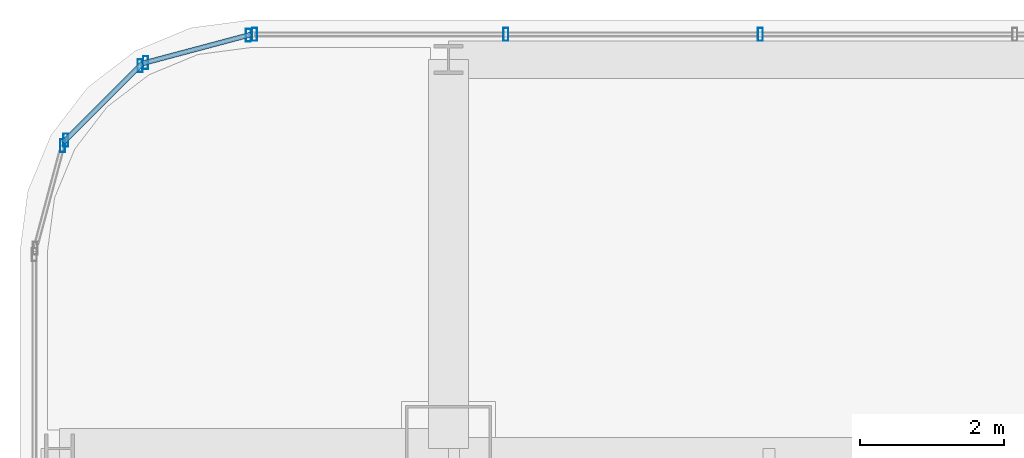
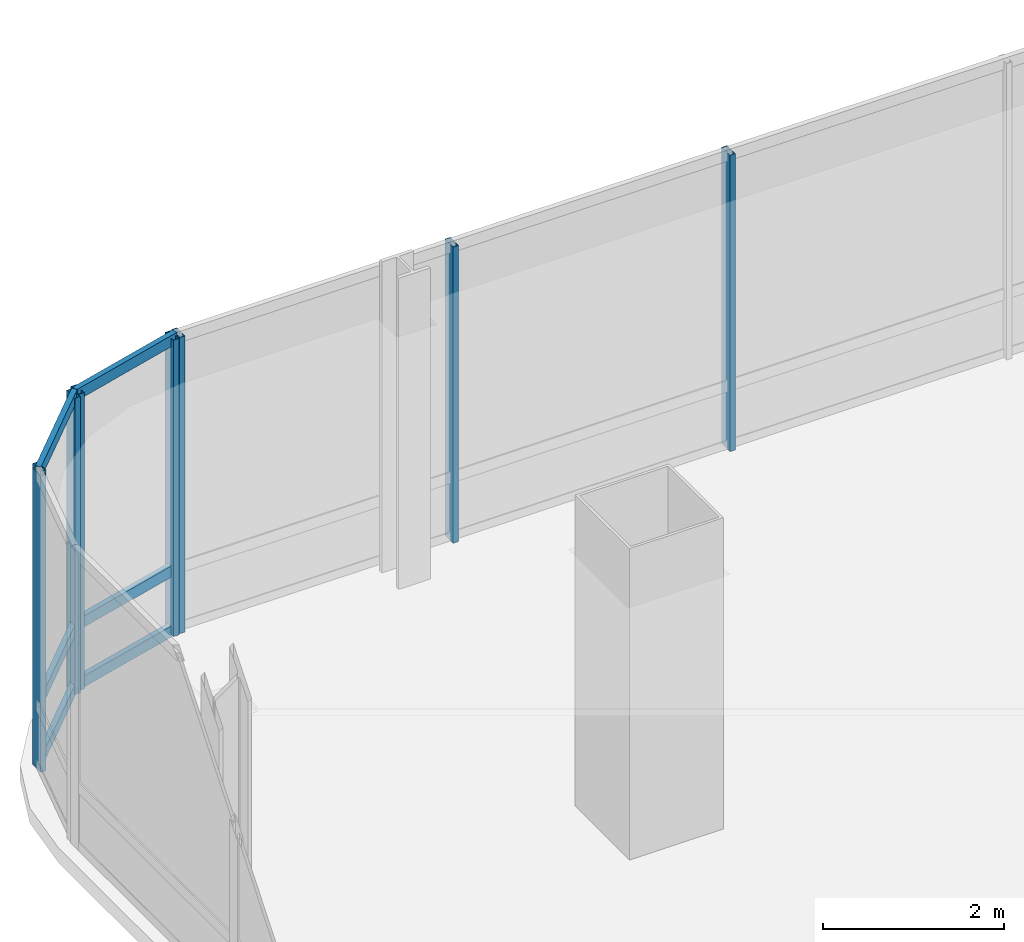
# One storey, part 23 of 42: 14 members, 4 elements without a shape of their own.
"""IFC4 building model written with IfcOpenShell, lengths in metres."""

from ifc_helpers import new_model, si_unit, direction, frame, origin, origin_2d, place, context, subcontext, project, spatial, hollow_rectangle, extrude, material, material_profile, profile_set, type_object, element, aggregate, save


model = new_model("IFC4")

# Units and contexts
model_context = context("Model", 3, precision=1e-05, world=origin(), true_north=direction((0.0, 1.0)))
body_context = subcontext(model_context, "Body", "Model", "MODEL_VIEW")
ifc_project = project(units=[si_unit("LENGTHUNIT", "METRE"), si_unit("AREAUNIT", "SQUARE_METRE"), si_unit("VOLUMEUNIT", "CUBIC_METRE"), si_unit("PLANEANGLEUNIT", "RADIAN"), si_unit("MASSUNIT", "GRAM", prefix="KILO")], contexts=[model_context])

# Site, building, storey
site_placement = place(None, origin())
site = spatial("IfcSite", under=ifc_project, at=site_placement, CompositionType="ELEMENT")
building_placement = place(site_placement, origin())
building = spatial("IfcBuilding", under=site, at=building_placement, Name="Punatoya Terracotta Tower", CompositionType="ELEMENT")
storey_placement = place(building_placement, frame((0.0, 0.0, 296.39990234375)))
storey = spatial("IfcBuildingStorey", under=building, at=storey_placement, Name="L70", CompositionType="ELEMENT", Elevation=296.39990234375)

# Curtain wall, members
ifc_material_1 = material(Name="Aluminium 6063-T6 + Double Low-E Glass", Category="aluminium")
curtain_wall_type = type_object("IfcCurtainWallType", Name="CW-M3", PredefinedType="NOTDEFINED", material=ifc_material_1)
curtain_wall_1_placement = place(storey_placement, origin())
curtain_wall_1 = element("IfcCurtainWall", 1, at=curtain_wall_1_placement, inside=storey, type_object=curtain_wall_type, Name="L70 Curtain Wall CW-L70-N09-1", PredefinedType="NOTDEFINED")
ifc_material_2 = material(Name="Aluminium 6063-T6", Category="aluminium")
ifc_material_profile_1 = material_profile(ifc_material_2, hollow_rectangle(XDim=0.070068359375, YDim=0.179931640625, WallThickness=0.00390625, at=origin_2d()))
ifc_profile_set_1 = profile_set([ifc_material_profile_1], Name="Aluminium 6063-T6")
member_type_1 = type_object("IfcMemberType", Name="CW-MUL-M3", PredefinedType="MULLION", material=ifc_profile_set_1)
member_1_placement = place(storey_placement, frame((-14.768798828125, 23.25, 0.0), z_axis=(0.0, 0.0, 1.0), x_axis=(1.0, 0.0, 0.0)))
member_1 = element("IfcMember", 2, at=member_1_placement, type_object=member_type_1, Name="CW-L70-N09-1 Mullion 09", PredefinedType="MULLION", context=body_context, shape_type="SweptSolid", body=[
    extrude(hollow_rectangle(XDim=0.070068359375, YDim=0.179931640625, WallThickness=0.00390625, at=origin_2d()), origin(), (0.0, 0.0, 1.0), 4.0),
])
member_2_placement = place(storey_placement, frame((-18.302978515625, 23.25, 0.0), z_axis=(0.0, 0.0, 1.0), x_axis=(1.0, 0.0, 0.0)))
member_2 = element("IfcMember", 3, at=member_2_placement, type_object=member_type_1, Name="CW-L70-N09-1 Mullion 10", PredefinedType="MULLION", context=body_context, shape_type="SweptSolid", body=[
    extrude(hollow_rectangle(XDim=0.070068359375, YDim=0.179931640625, WallThickness=0.00390625, at=origin_2d()), origin(), (0.0, 0.0, 1.0), 4.0),
])
member_3_placement = place(storey_placement, frame((-21.7919921875, 23.25, 0.0), z_axis=(0.0, 0.0, 1.0), x_axis=(1.0, 0.0, 0.0)))
member_3 = element("IfcMember", 4, at=member_3_placement, type_object=member_type_1, Name="CW-L70-N09-1 Mullion 11", PredefinedType="MULLION", context=body_context, shape_type="SweptSolid", body=[
    extrude(hollow_rectangle(XDim=0.070068359375, YDim=0.179931640625, WallThickness=0.00390625, at=origin_2d()), origin(), (0.0, 0.0, 1.0), 4.0),
])
aggregate(curtain_wall_1, [member_1, member_2, member_3])

curtain_wall_2_placement = place(storey_placement, origin())
curtain_wall_2 = element("IfcCurtainWall", 5, at=curtain_wall_2_placement, inside=storey, type_object=curtain_wall_type, Name="L70 Curtain Wall CW-L70-CRN10", PredefinedType="NOTDEFINED")
member_4_placement = place(storey_placement, frame((-21.88037109375, 23.23828125, 0.0), z_axis=(0.0, 0.0, 1.0), x_axis=(1.0, 0.0, 0.0)))
member_4 = element("IfcMember", 6, at=member_4_placement, type_object=member_type_1, Name="CW-L70-CRN10 Mullion 00", PredefinedType="MULLION", context=body_context, shape_type="SweptSolid", body=[
    extrude(hollow_rectangle(XDim=0.070068359375, YDim=0.179931640625, WallThickness=0.00390625, at=origin_2d()), origin(), (0.0, 0.0, 1.0), 4.0),
])
member_5_placement = place(storey_placement, frame((-23.3056640625, 22.858154296875, 0.0), z_axis=(0.0, 0.0, 1.0), x_axis=(1.0, 0.0, 0.0)))
member_5 = element("IfcMember", 7, at=member_5_placement, type_object=member_type_1, Name="CW-L70-CRN10 Mullion 01", PredefinedType="MULLION", context=body_context, shape_type="SweptSolid", body=[
    extrude(hollow_rectangle(XDim=0.070068359375, YDim=0.179931640625, WallThickness=0.00390625, at=origin_2d()), origin(), (0.0, 0.0, 1.0), 4.0),
])

curtain_wall_3_placement = place(storey_placement, origin())
curtain_wall_3 = element("IfcCurtainWall", 8, at=curtain_wall_3_placement, inside=storey, type_object=curtain_wall_type, Name="L70 Curtain Wall CW-L70-CRN11", PredefinedType="NOTDEFINED")
member_6_placement = place(storey_placement, frame((-23.380859375, 22.814697265625, 0.0), z_axis=(0.0, 0.0, 1.0), x_axis=(1.0, 0.0, 0.0)))
member_6 = element("IfcMember", 9, at=member_6_placement, type_object=member_type_1, Name="CW-L70-CRN11 Mullion 00", PredefinedType="MULLION", context=body_context, shape_type="SweptSolid", body=[
    extrude(hollow_rectangle(XDim=0.070068359375, YDim=0.179931640625, WallThickness=0.00390625, at=origin_2d()), origin(), (0.0, 0.0, 1.0), 4.0),
])
member_7_placement = place(storey_placement, frame((-24.414794921875, 21.781005859375, 0.0), z_axis=(0.0, 0.0, 1.0), x_axis=(1.0, 0.0, 0.0)))
member_7 = element("IfcMember", 10, at=member_7_placement, type_object=member_type_1, Name="CW-L70-CRN11 Mullion 01", PredefinedType="MULLION", context=body_context, shape_type="SweptSolid", body=[
    extrude(hollow_rectangle(XDim=0.070068359375, YDim=0.179931640625, WallThickness=0.00390625, at=origin_2d()), origin(), (0.0, 0.0, 1.0), 4.0),
])

# Curtain wall, member
curtain_wall_4_placement = place(storey_placement, origin())
curtain_wall_4 = element("IfcCurtainWall", 11, at=curtain_wall_4_placement, inside=storey, type_object=curtain_wall_type, Name="L70 Curtain Wall CW-L70-CRN12", PredefinedType="NOTDEFINED")
member_8_placement = place(storey_placement, frame((-24.458251953125, 21.70556640625, 0.0), z_axis=(0.0, 0.0, 1.0), x_axis=(1.0, 0.0, 0.0)))
member_8 = element("IfcMember", 12, at=member_8_placement, type_object=member_type_1, Name="CW-L70-CRN12 Mullion 00", PredefinedType="MULLION", context=body_context, shape_type="SweptSolid", body=[
    extrude(hollow_rectangle(XDim=0.070068359375, YDim=0.179931640625, WallThickness=0.00390625, at=origin_2d()), origin(), (0.0, 0.0, 1.0), 4.0),
])
aggregate(curtain_wall_4, [member_8])

# Member
ifc_material_profile_2 = material_profile(ifc_material_2, hollow_rectangle(XDim=0.068115234375, YDim=0.14990234375, WallThickness=0.00390625, at=origin_2d()))
ifc_profile_set_2 = profile_set([ifc_material_profile_2], Name="Aluminium 6063-T6")
member_type_2 = type_object("IfcMemberType", Name="CW-TRN-TYP", PredefinedType="USERDEFINED", material=ifc_profile_set_2)
member_9_placement = place(storey_placement, frame((-21.8369140625, 23.25, 0.0400390625), z_axis=(-0.966224582397, -0.257701486942, 0.0), x_axis=(0.257701486942, -0.966224582397, 0.0)))
member_9 = element("IfcMember", 13, at=member_9_placement, type_object=member_type_2, Name="CW-L70-CRN10 Transom 1", ObjectType="TRANSOM", PredefinedType="USERDEFINED", context=body_context, shape_type="SweptSolid", body=[
    extrude(hollow_rectangle(XDim=0.068115234375, YDim=0.14990234375, WallThickness=0.00390625, at=origin_2d()), origin(), (0.0, 0.0, 1.0), 1.565185546875),
])

member_10_placement = place(storey_placement, frame((-21.8369140625, 23.25, 0.85009765625), z_axis=(-0.966224582397, -0.257701486942, 0.0), x_axis=(0.257701486942, -0.966224582397, 0.0)))
member_10 = element("IfcMember", 14, at=member_10_placement, type_object=member_type_2, Name="CW-L70-CRN10 Transom 2", ObjectType="TRANSOM", PredefinedType="USERDEFINED", context=body_context, shape_type="SweptSolid", body=[
    extrude(hollow_rectangle(XDim=0.068115234375, YDim=0.14990234375, WallThickness=0.00390625, at=origin_2d()), origin(), (0.0, 0.0, 1.0), 1.565185546875),
])

member_11_placement = place(storey_placement, frame((-21.8369140625, 23.25, 3.960205078125), z_axis=(-0.966224582397, -0.257701486942, 0.0), x_axis=(0.257701486942, -0.966224582397, 0.0)))
member_11 = element("IfcMember", 15, at=member_11_placement, type_object=member_type_2, Name="CW-L70-CRN10 Transom 3", ObjectType="TRANSOM", PredefinedType="USERDEFINED", context=body_context, shape_type="SweptSolid", body=[
    extrude(hollow_rectangle(XDim=0.068115234375, YDim=0.14990234375, WallThickness=0.00390625, at=origin_2d()), origin(), (0.0, 0.0, 1.0), 1.565185546875),
])

aggregate(curtain_wall_2, [member_4, member_5, member_9, member_10, member_11])

member_12_placement = place(storey_placement, frame((-23.34912109375, 22.8466796875, 0.0400390625), z_axis=(-0.707028130747, -0.707185422879, 0.0), x_axis=(0.707185422879, -0.707028130747, 0.0)))
member_12 = element("IfcMember", 16, at=member_12_placement, type_object=member_type_2, Name="CW-L70-CRN11 Transom 1", ObjectType="TRANSOM", PredefinedType="USERDEFINED", context=body_context, shape_type="SweptSolid", body=[
    extrude(hollow_rectangle(XDim=0.068115234375, YDim=0.14990234375, WallThickness=0.00390625, at=origin_2d()), origin(), (0.0, 0.0, 1.0), 1.55224609375),
])

member_13_placement = place(storey_placement, frame((-23.34912109375, 22.8466796875, 0.85009765625), z_axis=(-0.707028130747, -0.707185422879, 0.0), x_axis=(0.707185422879, -0.707028130747, 0.0)))
member_13 = element("IfcMember", 17, at=member_13_placement, type_object=member_type_2, Name="CW-L70-CRN11 Transom 2", ObjectType="TRANSOM", PredefinedType="USERDEFINED", context=body_context, shape_type="SweptSolid", body=[
    extrude(hollow_rectangle(XDim=0.068115234375, YDim=0.14990234375, WallThickness=0.00390625, at=origin_2d()), origin(), (0.0, 0.0, 1.0), 1.55224609375),
])

member_14_placement = place(storey_placement, frame((-23.34912109375, 22.8466796875, 3.960205078125), z_axis=(-0.707028130747, -0.707185422879, 0.0), x_axis=(0.707185422879, -0.707028130747, 0.0)))
member_14 = element("IfcMember", 18, at=member_14_placement, type_object=member_type_2, Name="CW-L70-CRN11 Transom 3", ObjectType="TRANSOM", PredefinedType="USERDEFINED", context=body_context, shape_type="SweptSolid", body=[
    extrude(hollow_rectangle(XDim=0.068115234375, YDim=0.14990234375, WallThickness=0.00390625, at=origin_2d()), origin(), (0.0, 0.0, 1.0), 1.55224609375),
])

aggregate(curtain_wall_3, [member_6, member_7, member_12, member_13, member_14])

save(model, "model.ifc")
